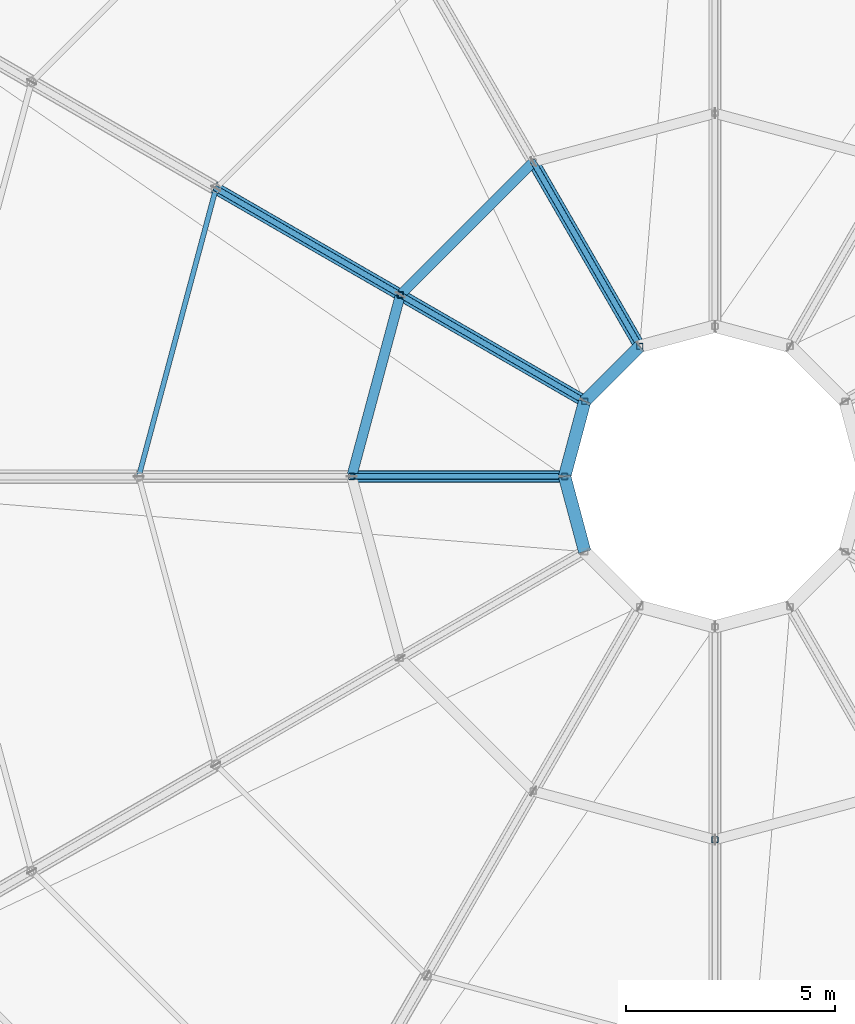
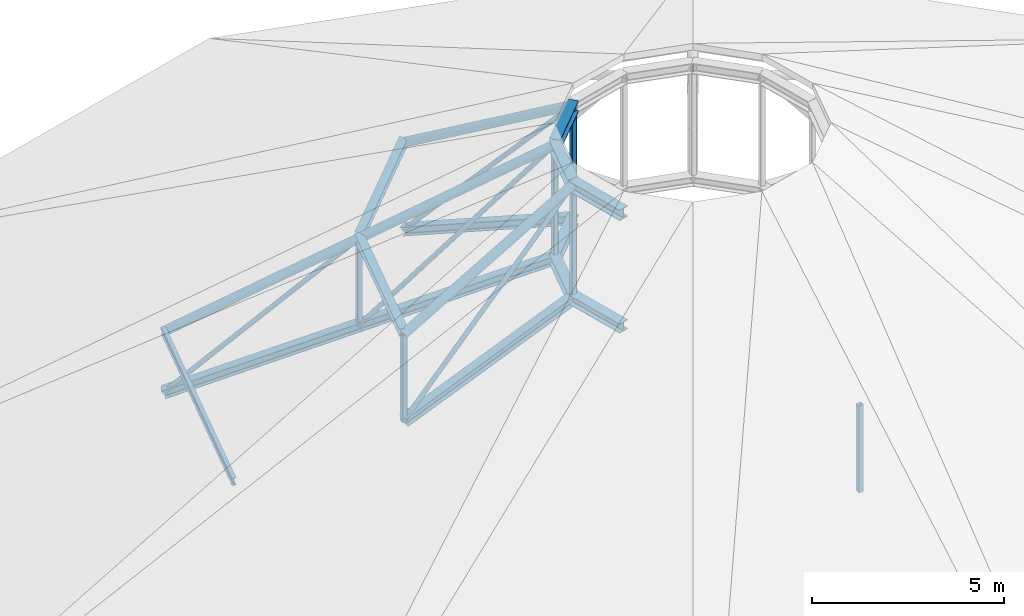
# One storey, part 18 of 58: 21 members, 6 beams.
"""IFC4 building model written with IfcOpenShell, lengths in metres."""

from ifc_helpers import new_model, si_unit, derived_unit, direction, frame, origin, origin_2d, place, context, subcontext, project, spatial, hollow_rectangle, hollow_circle, i_section, extrude, material, material_profile, profile_set, type_object, element, save


model = new_model("IFC4")

# Units and contexts
model_context = context("Model", 3, precision=1e-05, world=origin(), true_north=direction((0.0, 1.0)))
body_context = subcontext(model_context, "Body", "Model", "MODEL_VIEW")
ifc_project = project(units=[si_unit("LENGTHUNIT", "METRE"), si_unit("AREAUNIT", "SQUARE_METRE"), si_unit("VOLUMEUNIT", "CUBIC_METRE"), si_unit("PLANEANGLEUNIT", "RADIAN"), si_unit("MASSUNIT", "GRAM", prefix="KILO"), derived_unit("THERMALTRANSMITTANCEUNIT", [(si_unit("POWERUNIT", "WATT"), 1), (si_unit("AREAUNIT", "SQUARE_METRE"), -1), (si_unit("THERMODYNAMICTEMPERATUREUNIT", "KELVIN"), -1)])], contexts=[model_context])

# Site, building, storey
site_placement = place(None, origin())
site = spatial("IfcSite", under=ifc_project, at=site_placement, CompositionType="ELEMENT")
building_placement = place(site_placement, origin())
building = spatial("IfcBuilding", under=site, at=building_placement, Name="Yasenodar Specialist Clinic", CompositionType="ELEMENT")
storey_placement = place(building_placement, frame((0.0, 0.0, 21.300048828125)))
storey = spatial("IfcBuildingStorey", under=building, at=storey_placement, Name="L05", CompositionType="ELEMENT", Elevation=21.300048828125)

# Beams
ifc_material = material(Name="Steel S355", Category="steel")
ifc_material_profile_1 = material_profile(ifc_material, i_section(OverallWidth=0.300048828125, OverallDepth=0.300048828125, WebThickness=0.010986328125, FlangeThickness=0.01904296875, FilletRadius=0.027099609375, at=origin_2d()), Name="HEB 300")
ifc_profile_set_1 = profile_set([ifc_material_profile_1], Name="Steel S355")
beam_type_1 = type_object("IfcBeamType", Name="BM-HEB300", PredefinedType="BEAM", material=ifc_profile_set_1)
for number, where, z_axis, x_axis, name in (
    (1, (79.199951171875, 61.917724609375, 8.300048828125), (-0.707106781187, -0.707106781187, 0.0), (0.707106781187, -0.707106781187, 0.0), "Chhatri Tension Tie Ring Segment 05"),
    (2, (77.88232421875, 60.60009765625, 8.300048828125), (-0.25886923328, -0.96591237701, 0.0), (0.96591237701, -0.25886923328, 0.0), "Chhatri Tension Tie Ring Segment 06"),
    (3, (77.39990234375, 58.800048828125, 8.300048828125), (0.25886923328, -0.96591237701, 0.0), (0.96591237701, 0.25886923328, 0.0), "Chhatri Tension Tie Ring Segment 07"),
):
    element("IfcBeam", number, at=place(storey_placement, frame(where, z_axis=z_axis, x_axis=x_axis)), inside=storey, type_object=beam_type_1, Name=name, PredefinedType="BEAM", context=body_context, shape_type="SweptSolid", body=[
        extrude(i_section(OverallWidth=0.300048828125, OverallDepth=0.300048828125, WebThickness=0.010986328125, FlangeThickness=0.01904296875, FilletRadius=0.027099609375, at=origin_2d()), origin(), (0.0, 0.0, 1.0), 1.863525390625),
    ])
ifc_material_profile_2 = material_profile(ifc_material, i_section(OverallWidth=0.300048828125, OverallDepth=0.340087890625, WebThickness=0.011962890625, FlangeThickness=0.021484375, FilletRadius=0.027099609375, at=origin_2d()), Name="HEB 340")
ifc_profile_set_2 = profile_set([ifc_material_profile_2], Name="Steel S355")
beam_type_2 = type_object("IfcBeamType", Name="BM-HEB340", PredefinedType="BEAM", material=ifc_profile_set_2)
for number, where, z_axis, x_axis, name in (
    (4, (79.199951171875, 61.917724609375, 11.89990234375), (-0.707106781187, -0.707106781187, 0.0), (0.707106781187, -0.707106781187, 0.0), "Chhatri Compression Ring Segment 05"),
    (5, (77.88232421875, 60.60009765625, 11.89990234375), (-0.25886923328, -0.96591237701, 0.0), (0.96591237701, -0.25886923328, 0.0), "Chhatri Compression Ring Segment 06"),
    (6, (77.39990234375, 58.800048828125, 11.89990234375), (0.25886923328, -0.96591237701, 0.0), (0.96591237701, 0.25886923328, 0.0), "Chhatri Compression Ring Segment 07"),
):
    element("IfcBeam", number, at=place(storey_placement, frame(where, z_axis=z_axis, x_axis=x_axis)), inside=storey, type_object=beam_type_2, Name=name, PredefinedType="BEAM", context=body_context, shape_type="SweptSolid", body=[
        extrude(i_section(OverallWidth=0.300048828125, OverallDepth=0.340087890625, WebThickness=0.011962890625, FlangeThickness=0.021484375, FilletRadius=0.027099609375, at=origin_2d()), origin(), (0.0, 0.0, 1.0), 1.863525390625),
    ])

# Members
ifc_material_profile_3 = material_profile(ifc_material, i_section(OverallWidth=0.239990234375, OverallDepth=0.22998046875, WebThickness=0.007568359375, FlangeThickness=0.011962890625, FilletRadius=0.02099609375, at=origin_2d()), Name="HEA 240")
ifc_profile_set_3 = profile_set([ifc_material_profile_3], Name="Steel S355")
member_type_1 = type_object("IfcMemberType", Name="PR-HEA240", PredefinedType="PURLIN", material=ifc_profile_set_3)
for number, where, z_axis, x_axis, name in (
    (7, (76.64990234375, 66.33447265625, 8.98486328125), (-0.707079674952, -0.707133886382, 0.0), (0.707133886382, -0.707079674952, 0.0), "Drum Roof Concentric Purlin 4.05"),
    (8, (73.465576171875, 63.14990234375, 8.98486328125), (-0.258816477475, -0.965926514279, 0.0), (0.965926514279, -0.258816477475, 0.0), "Drum Roof Concentric Purlin 4.06"),
):
    element("IfcMember", number, at=place(storey_placement, frame(where, z_axis=z_axis, x_axis=x_axis)), inside=storey, type_object=member_type_1, Name=name, PredefinedType="PURLIN", context=body_context, shape_type="SweptSolid", body=[
        extrude(i_section(OverallWidth=0.239990234375, OverallDepth=0.22998046875, WebThickness=0.007568359375, FlangeThickness=0.011962890625, FilletRadius=0.02099609375, at=origin_2d()), origin(), (0.0, 0.0, 1.0), 4.50341796875),
    ])
ifc_material_profile_4 = material_profile(ifc_material, i_section(OverallWidth=0.1201171875, OverallDepth=0.239990234375, WebThickness=0.006103515625, FlangeThickness=0.009765625, FilletRadius=0.014892578125, at=origin_2d()), Name="IPE 240")
ifc_profile_set_4 = profile_set([ifc_material_profile_4], Name="Steel S355")
member_type_2 = type_object("IfcMemberType", Name="PR-IPE240", PredefinedType="PURLIN", material=ifc_profile_set_4)
member_1_placement = place(storey_placement, frame((69.048828125, 65.699951171875, 6.010009765625), z_axis=(-0.258826058022, -0.965923947156, 0.0), x_axis=(0.965923947156, -0.258826058022, 0.0)))
element("IfcMember", 9, at=member_1_placement, inside=storey, type_object=member_type_2, Name="Drum Roof Concentric Purlin 3.06", PredefinedType="PURLIN", context=body_context, shape_type="SweptSolid", body=[
    extrude(i_section(OverallWidth=0.1201171875, OverallDepth=0.239990234375, WebThickness=0.006103515625, FlangeThickness=0.009765625, FilletRadius=0.014892578125, at=origin_2d()), origin(), (0.0, 0.0, 1.0), 7.143310546875),
])
ifc_material_profile_5 = material_profile(ifc_material, hollow_circle(Radius=0.06982421875, WallThickness=0.00634765625, at=origin_2d()), Name="CHS 139.7x6.3")
ifc_profile_set_5 = profile_set([ifc_material_profile_5], Name="Steel S355")
member_type_3 = type_object("IfcMemberType", Name="TR-BRC-CHS139", PredefinedType="BRACE", material=ifc_profile_set_5)
member_2_placement = place(storey_placement, frame((76.64990234375, 66.33447265625, 6.162353515625), z_axis=(0.332185538726, -0.575353621933, 0.747409511306), x_axis=(0.86602216432, 0.500005610874, 0.0)))
element("IfcMember", 10, at=member_2_placement, inside=storey, type_object=member_type_3, Name="Drum Roof Truss 05 Web Diagonal 4", PredefinedType="BRACE", context=body_context, shape_type="SweptSolid", body=[
    extrude(hollow_circle(Radius=0.06982421875, WallThickness=0.00634765625, at=origin_2d()), origin(), (0.0, 0.0, 1.0), 7.676513671875),
])
member_3_placement = place(storey_placement, frame((69.048828125, 65.699951171875, 4.02490234375), z_axis=(0.624486076732, -0.360552599163, 0.692834008407), x_axis=(0.500005610874, 0.86602216432, 0.0)))
element("IfcMember", 11, at=member_3_placement, inside=storey, type_object=member_type_3, Name="Drum Roof Truss 06 Web Diagonal 3", PredefinedType="BRACE", context=body_context, shape_type="SweptSolid", body=[
    extrude(hollow_circle(Radius=0.06982421875, WallThickness=0.00634765625, at=origin_2d()), origin(), (0.0, 0.0, 1.0), 7.072509765625),
])
for number, where, z_axis, x_axis, name in (
    (12, (73.465576171875, 63.14990234375, 6.162353515625), (0.575359700118, -0.332157244377, 0.747417407135), (0.499969707105, 0.866042892689, 0.0), "Drum Roof Truss 06 Web Diagonal 4"),
    (13, (72.300048828125, 58.800048828125, 6.162353515625), (0.664350020504, 0.0, 0.747421601411), (0.0, 1.0, 0.0), "Drum Roof Truss 07 Web Diagonal 4"),
):
    element("IfcMember", number, at=place(storey_placement, frame(where, z_axis=z_axis, x_axis=x_axis)), inside=storey, type_object=member_type_3, Name=name, PredefinedType="BRACE", context=body_context, shape_type="SweptSolid", body=[
        extrude(hollow_circle(Radius=0.06982421875, WallThickness=0.00634765625, at=origin_2d()), origin(), (0.0, 0.0, 1.0), 7.676513671875),
    ])
ifc_material_profile_6 = material_profile(ifc_material, hollow_circle(Radius=0.136474609375, WallThickness=0.012451171875, at=origin_2d()), Name="CHS 273x12.5")
ifc_profile_set_6 = profile_set([ifc_material_profile_6], Name="Steel S355")
member_type_4 = type_object("IfcMemberType", Name="TR-CHD-CHS273", PredefinedType="CHORD", material=ifc_profile_set_6)
for number, where, z_axis, x_axis, name in (
    (14, (76.64990234375, 66.33447265625, 8.925048828125), (0.431900565152, -0.748062529838, 0.503849534359), (0.86602216432, 0.500005610874, 0.0), "Drum Roof Truss 05 Top Chord 4"),
    (15, (69.048828125, 65.699951171875, 5.949951171875), (0.748046944425, -0.431891566774, 0.50388038609), (0.500005610874, 0.86602216432, 0.0), "Drum Roof Truss 06 Top Chord 3"),
):
    element("IfcMember", number, at=place(storey_placement, frame(where, z_axis=z_axis, x_axis=x_axis)), inside=storey, type_object=member_type_4, Name=name, PredefinedType="CHORD", context=body_context, shape_type="SweptSolid", body=[
        extrude(hollow_circle(Radius=0.136474609375, WallThickness=0.012451171875, at=origin_2d()), origin(), (0.0, 0.0, 1.0), 5.904296875),
    ])
for number, where, z_axis, x_axis, name in (
    (16, (73.465576171875, 63.14990234375, 8.925048828125), (0.748075889266, -0.431866927616, 0.503858532458), (0.499969707105, 0.866042892689, 0.0), "Drum Roof Truss 06 Top Chord 4"),
    (17, (72.300048828125, 58.800048828125, 8.925048828125), (0.863783400208, 0.0, 0.503863312343), (0.0, 1.0, 0.0), "Drum Roof Truss 07 Top Chord 4"),
):
    element("IfcMember", number, at=place(storey_placement, frame(where, z_axis=z_axis, x_axis=x_axis)), inside=storey, type_object=member_type_4, Name=name, PredefinedType="CHORD", context=body_context, shape_type="SweptSolid", body=[
        extrude(hollow_circle(Radius=0.136474609375, WallThickness=0.012451171875, at=origin_2d()), origin(), (0.0, 0.0, 1.0), 5.904052734375),
    ])
ifc_material_profile_7 = material_profile(ifc_material, i_section(OverallWidth=0.280029296875, OverallDepth=0.27001953125, WebThickness=0.008056640625, FlangeThickness=0.012939453125, FilletRadius=0.02392578125, at=origin_2d()), Name="HEA 280")
ifc_profile_set_7 = profile_set([ifc_material_profile_7], Name="Steel S355")
member_type_5 = type_object("IfcMemberType", Name="TR-CHD-HEA280", PredefinedType="CHORD", material=ifc_profile_set_7)
member_4_placement = place(storey_placement, frame((76.64990234375, 66.33447265625, 6.162353515625), z_axis=(0.461135614713, -0.798698363405, 0.386568065335), x_axis=(0.86602216432, 0.500005610874, 0.0)))
element("IfcMember", 18, at=member_4_placement, inside=storey, type_object=member_type_5, Name="Drum Roof Truss 05 Bottom Chord 4", PredefinedType="CHORD", context=body_context, shape_type="SweptSolid", body=[
    extrude(i_section(OverallWidth=0.280029296875, OverallDepth=0.27001953125, WebThickness=0.008056640625, FlangeThickness=0.012939453125, FilletRadius=0.02392578125, at=origin_2d()), origin(), (0.0, 0.0, 1.0), 5.530029296875),
])
for number, where, z_axis, x_axis, name in (
    (19, (69.048828125, 65.699951171875, 4.02490234375), (0.798711994016, -0.461143484467, 0.38653051283), (0.500005610874, 0.86602216432, 0.0), "Drum Roof Truss 06 Bottom Chord 3"),
    (20, (73.465576171875, 63.14990234375, 6.162353515625), (0.798714623541, -0.461100852814, 0.386575935201), (0.499969707105, 0.866042892689, 0.0), "Drum Roof Truss 06 Bottom Chord 4"),
    (21, (72.300048828125, 58.800048828125, 6.162353515625), (0.922255828978, 0.0, 0.38658011578), (0.0, 1.0, 0.0), "Drum Roof Truss 07 Bottom Chord 4"),
):
    element("IfcMember", number, at=place(storey_placement, frame(where, z_axis=z_axis, x_axis=x_axis)), inside=storey, type_object=member_type_5, Name=name, PredefinedType="CHORD", context=body_context, shape_type="SweptSolid", body=[
        extrude(i_section(OverallWidth=0.280029296875, OverallDepth=0.27001953125, WebThickness=0.008056640625, FlangeThickness=0.012939453125, FilletRadius=0.02392578125, at=origin_2d()), origin(), (0.0, 0.0, 1.0), 5.52978515625),
    ])
ifc_material_profile_8 = material_profile(ifc_material, hollow_rectangle(XDim=0.14990234375, YDim=0.14990234375, WallThickness=0.008056640625, InnerFilletRadius=0.011962890625, OuterFilletRadius=0.02001953125, at=origin_2d()), Name="SHS 150x150x8")
ifc_profile_set_8 = profile_set([ifc_material_profile_8], Name="Steel S355")
member_type_6 = type_object("IfcMemberType", Name="TR-STR-SHS150", PredefinedType="STRUT", material=ifc_profile_set_8)
member_5_placement = place(storey_placement, frame((79.199951171875, 61.917724609375, 8.300048828125), z_axis=(0.0, 0.0, 1.0), x_axis=(1.0, 0.0, 0.0)))
element("IfcMember", 22, at=member_5_placement, inside=storey, type_object=member_type_6, Name="Drum Roof Truss 05 Strut 4", PredefinedType="STRUT", context=body_context, shape_type="SweptSolid", body=[
    extrude(hollow_rectangle(XDim=0.14990234375, YDim=0.14990234375, WallThickness=0.008056640625, InnerFilletRadius=0.011962890625, OuterFilletRadius=0.02001953125, at=origin_2d()), origin(), (0.0, 0.0, 1.0), 3.599853515625),
])
member_6_placement = place(storey_placement, frame((73.465576171875, 63.14990234375, 6.162353515625), z_axis=(0.0, 0.0, 1.0), x_axis=(1.0, 0.0, 0.0)))
element("IfcMember", 23, at=member_6_placement, inside=storey, type_object=member_type_6, Name="Drum Roof Truss 06 Strut 3", PredefinedType="STRUT", context=body_context, shape_type="SweptSolid", body=[
    extrude(hollow_rectangle(XDim=0.14990234375, YDim=0.14990234375, WallThickness=0.008056640625, InnerFilletRadius=0.011962890625, OuterFilletRadius=0.02001953125, at=origin_2d()), origin(), (0.0, 0.0, 1.0), 2.7626953125),
])
member_7_placement = place(storey_placement, frame((77.88232421875, 60.60009765625, 8.300048828125), z_axis=(0.0, 0.0, 1.0), x_axis=(1.0, 0.0, 0.0)))
element("IfcMember", 24, at=member_7_placement, inside=storey, type_object=member_type_6, Name="Drum Roof Truss 06 Strut 4", PredefinedType="STRUT", context=body_context, shape_type="SweptSolid", body=[
    extrude(hollow_rectangle(XDim=0.14990234375, YDim=0.14990234375, WallThickness=0.008056640625, InnerFilletRadius=0.011962890625, OuterFilletRadius=0.02001953125, at=origin_2d()), origin(), (0.0, 0.0, 1.0), 3.599853515625),
])
member_8_placement = place(storey_placement, frame((72.300048828125, 58.800048828125, 6.162353515625), z_axis=(0.0, 0.0, 1.0), x_axis=(1.0, 0.0, 0.0)))
element("IfcMember", 25, at=member_8_placement, inside=storey, type_object=member_type_6, Name="Drum Roof Truss 07 Strut 3", PredefinedType="STRUT", context=body_context, shape_type="SweptSolid", body=[
    extrude(hollow_rectangle(XDim=0.14990234375, YDim=0.14990234375, WallThickness=0.008056640625, InnerFilletRadius=0.011962890625, OuterFilletRadius=0.02001953125, at=origin_2d()), origin(), (0.0, 0.0, 1.0), 2.7626953125),
])
member_9_placement = place(storey_placement, frame((77.39990234375, 58.800048828125, 8.300048828125), z_axis=(0.0, 0.0, 1.0), x_axis=(1.0, 0.0, 0.0)))
element("IfcMember", 26, at=member_9_placement, inside=storey, type_object=member_type_6, Name="Drum Roof Truss 07 Strut 4", PredefinedType="STRUT", context=body_context, shape_type="SweptSolid", body=[
    extrude(hollow_rectangle(XDim=0.14990234375, YDim=0.14990234375, WallThickness=0.008056640625, InnerFilletRadius=0.011962890625, OuterFilletRadius=0.02001953125, at=origin_2d()), origin(), (0.0, 0.0, 1.0), 3.599853515625),
])
member_10_placement = place(storey_placement, frame((81.0, 50.10009765625, 6.162353515625), z_axis=(0.0, 0.0, 1.0), x_axis=(1.0, 0.0, 0.0)))
element("IfcMember", 27, at=member_10_placement, inside=storey, type_object=member_type_6, Name="Drum Roof Truss 10 Strut 3", PredefinedType="STRUT", context=body_context, shape_type="SweptSolid", body=[
    extrude(hollow_rectangle(XDim=0.14990234375, YDim=0.14990234375, WallThickness=0.008056640625, InnerFilletRadius=0.011962890625, OuterFilletRadius=0.02001953125, at=origin_2d()), origin(), (0.0, 0.0, 1.0), 2.7626953125),
])

save(model, "model.ifc")
